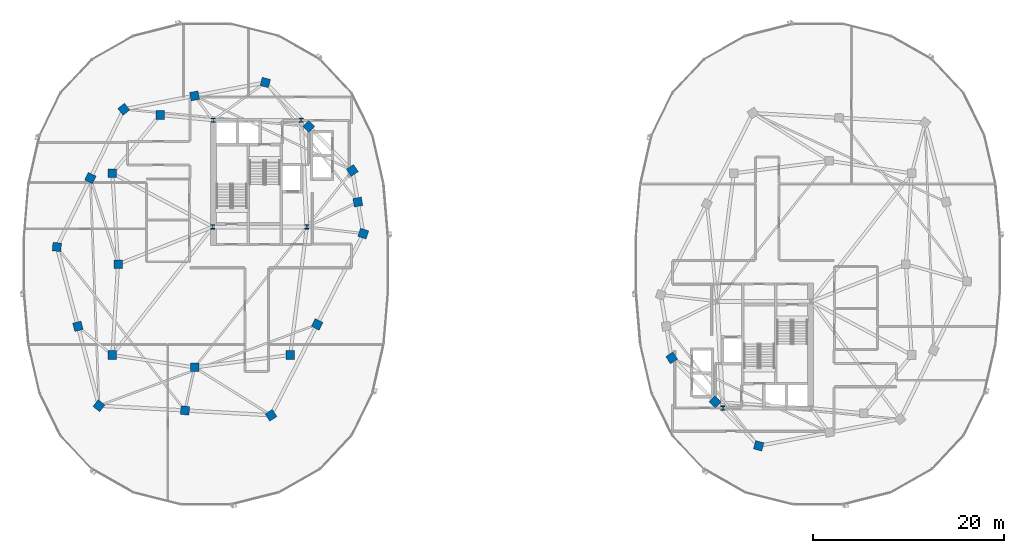
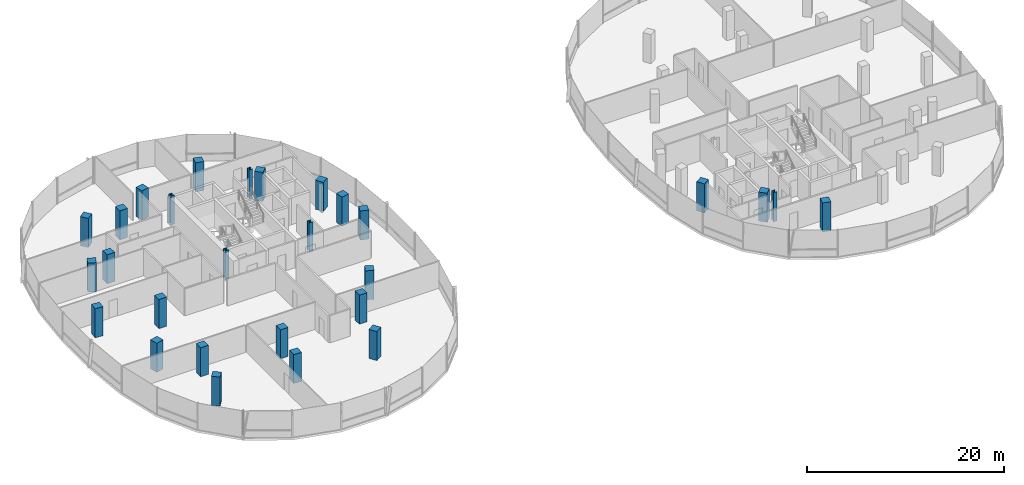
# One storey, part 1 of 25: 28 columns.
"""IFC4 building model written with IfcOpenShell, lengths in metres."""

import ifcopenshell
import ifcopenshell.guid

model = None  # the IFC model being written
_history = None  # IfcOwnerHistory: only IFC2X3 demands one
_inside = {}  # id of a spatial element -> (the spatial element, [elements in it])
_under = {}  # id of a project, library or spatial element -> (it, [spatial elements below it])
_declared = {}  # id of a project -> (the project, [libraries it declares])
_typed = {}  # id of a type object -> (the type object, [elements of that type])
_made_of = {}  # id of a material, layer set ... -> (it, [elements and type objects made of it])


def new_model(schema):
    """Start an empty IFC model of exactly this schema.

    Asked for "IFC4X3", IfcOpenShell would pick the latest addendum, in which some entities
    have other attributes; the version numbers below select the first issue.
    IFC2X3 requires an IfcOwnerHistory on every rooted entity: one is made here for all.
    """
    global model, _history
    if schema == "IFC4X3":
        model = ifcopenshell.file(schema_version=(4, 3, 0, 0))
    else:
        model = ifcopenshell.file(schema=schema)
    _inside.clear()
    _under.clear()
    _declared.clear()
    _typed.clear()
    _made_of.clear()
    _history = None
    if model.schema == "IFC2X3":
        org = make("IfcOrganization", Name="unknown")
        user = make(
            "IfcPersonAndOrganization",
            ThePerson=make("IfcPerson", FamilyName="unknown"),
            TheOrganization=org,
        )
        app = make(
            "IfcApplication",
            ApplicationDeveloper=org,
            Version="unknown",
            ApplicationFullName="unknown",
            ApplicationIdentifier="unknown",
        )
        _history = make(
            "IfcOwnerHistory",
            OwningUser=user,
            OwningApplication=app,
            ChangeAction="ADDED",
            CreationDate=0,
        )
    return model


def make(cls, **values):
    """One entity of the class cls with the attributes given. An attribute that is None is left unset."""
    return model.create_entity(
        cls, **{name: value for name, value in values.items() if value is not None}
    )


def rooted(cls, **values):
    """An entity with a GlobalId (a new one), such as an element, a storey or a relation."""
    return make(cls, GlobalId=ifcopenshell.guid.new(), OwnerHistory=_history, **values)


def si_unit(unit_type, name, prefix=None):
    """IfcSIUnit, for example si_unit("LENGTHUNIT", "METRE", prefix="MILLI")."""
    return make("IfcSIUnit", UnitType=unit_type, Prefix=prefix, Name=name)


def assignment(units):
    """IfcUnitAssignment: the units of a project."""
    return None if units is None else make("IfcUnitAssignment", Units=units)


def point(xyz):
    """IfcCartesianPoint."""
    return None if xyz is None else make("IfcCartesianPoint", Coordinates=xyz)


def direction(xyz):
    """IfcDirection."""
    return None if xyz is None else make("IfcDirection", DirectionRatios=xyz)


def frame(location, z_axis=None, x_axis=None):
    """IfcAxis2Placement3D, a coordinate frame: its origin and axes. An axis left out is left unset."""
    return make(
        "IfcAxis2Placement3D",
        Location=point(location),
        Axis=direction(z_axis),
        RefDirection=direction(x_axis),
    )


def frame_2d(location, x_axis=None):
    """IfcAxis2Placement2D, a coordinate frame in the plane: its origin and x axis."""
    return make(
        "IfcAxis2Placement2D", Location=point(location), RefDirection=direction(x_axis)
    )


def origin():
    """The frame at (0, 0, 0) with its axes left unset."""
    return frame((0.0, 0.0, 0.0))


def origin_2d():
    """The frame at (0, 0) in the plane with its x axis left unset."""
    return frame_2d((0.0, 0.0))


def place(relative_to, where):
    """IfcLocalPlacement: puts the frame where relative to a parent placement (None: the world)."""
    return make(
        "IfcLocalPlacement", PlacementRelTo=relative_to, RelativePlacement=where
    )


def context(
    kind, dimensions, precision=None, world=None, true_north=None, identifier=None
):
    """IfcGeometricRepresentationContext, for example the 3D "Model" context."""
    return make(
        "IfcGeometricRepresentationContext",
        ContextIdentifier=identifier,
        ContextType=kind,
        CoordinateSpaceDimension=dimensions,
        Precision=precision,
        WorldCoordinateSystem=world,
        TrueNorth=true_north,
    )


def subcontext(parent, identifier, kind, view, scale=None):
    """IfcGeometricRepresentationSubContext, for example "Body" below "Model"."""
    return make(
        "IfcGeometricRepresentationSubContext",
        ContextIdentifier=identifier,
        ContextType=kind,
        ParentContext=parent,
        TargetScale=scale,
        TargetView=view,
    )


def project(units=None, contexts=None):
    """IfcProject with its units and contexts."""
    return rooted(
        "IfcProject",
        Name="project",
        RepresentationContexts=contexts,
        UnitsInContext=assignment(units),
    )


def spatial(cls, under=None, at=None, **own):
    """A site, building, storey or space (cls), placed at a placement, below another one or the project."""
    s = rooted(cls, ObjectPlacement=at, **own)
    if under is not None:
        _under.setdefault(under.id(), (under, []))[1].append(s)
    return s


def profile(cls, at=None, kind="AREA", **sizes):
    """A parametric profile (cls). Its sizes go by their IFC names, for example OverallWidth=200.0."""
    return make(cls, ProfileType=kind, Position=at, **sizes)


def rectangle(**sizes):
    """IfcRectangleProfileDef."""
    return profile("IfcRectangleProfileDef", **sizes)


def i_section(**sizes):
    """IfcIShapeProfileDef."""
    return profile("IfcIShapeProfileDef", **sizes)


def extrude(swept, where, along, depth):
    """IfcExtrudedAreaSolid: the profile swept, set in the frame where, extruded along a direction by depth."""
    return make(
        "IfcExtrudedAreaSolid",
        SweptArea=swept,
        Position=where,
        ExtrudedDirection=direction(along),
        Depth=depth,
    )


def shape(context_of_items, identifier, shape_type, items):
    """IfcShapeRepresentation: the items that make up one representation, for example the "Body"."""
    return make(
        "IfcShapeRepresentation",
        ContextOfItems=context_of_items,
        RepresentationIdentifier=identifier,
        RepresentationType=shape_type,
        Items=items,
    )


def material(Name=None, Category=None):
    """IfcMaterial."""
    return make("IfcMaterial", Name=Name, Category=Category)


def material_profile(
    of_material, cross_section, Name=None, Category=None, Priority=None
):
    """IfcMaterialProfile: a cross section and its material."""
    return make(
        "IfcMaterialProfile",
        Name=Name,
        Material=of_material,
        Profile=cross_section,
        Priority=Priority,
        Category=Category,
    )


def profile_set(profiles, Name=None, composite=None):
    """IfcMaterialProfileSet."""
    return make(
        "IfcMaterialProfileSet",
        Name=Name,
        MaterialProfiles=profiles,
        CompositeProfile=composite,
    )


def made_of(thing, what):
    """Note that an element or type object is made of a material, layer set ...; save() writes the relation."""
    if what is not None:
        _made_of.setdefault(what.id(), (what, []))[1].append(thing)
    return thing


def type_object(cls, material=None, **own):
    """A type object (cls), such as IfcWallType, which elements share."""
    return made_of(rooted(cls, **own), material)


def element(
    cls,
    number,
    at=None,
    inside=None,
    cuts=None,
    type_object=None,
    material=None,
    context=None,
    identifier="Body",
    shape_type=None,
    held_by="IfcProductDefinitionShape",
    body=None,
    shapes=None,
    **own,
):
    """One element of the class cls, such as IfcWall. Its Tag is "e" and its number.

    at: its placement. inside: the storey or other place that contains it. cuts: it is an
    opening in that element (IfcRelVoidsElement). A single representation is given by context,
    identifier, shape_type and body (its items); several are given by shapes. held_by: the class
    of the entity that holds the representations. save() writes the other relations.
    """
    e = rooted(cls, Tag="e%d" % number, ObjectPlacement=at, **own)
    if body is not None:
        shapes = [shape(context, identifier, shape_type, body)]
    if shapes is not None:
        e.Representation = make(held_by, Representations=shapes)
    if inside is not None:
        _inside.setdefault(inside.id(), (inside, []))[1].append(e)
    if cuts is not None:
        rooted(
            "IfcRelVoidsElement", RelatingBuildingElement=cuts, RelatedOpeningElement=e
        )
    if type_object is not None:
        _typed.setdefault(type_object.id(), (type_object, []))[1].append(e)
    return made_of(e, material)


def aggregate(whole, parts):
    """IfcRelAggregates: a whole, such as a stair, and the parts it consists of."""
    return rooted("IfcRelAggregates", RelatingObject=whole, RelatedObjects=parts)


def save(model, path):
    """Write the relations noted so far, then the file.

    IfcRelAggregates (storeys below a building ...), IfcRelContainedInSpatialStructure (elements
    in a storey), IfcRelDefinesByType, IfcRelAssociatesMaterial and IfcRelDeclares: one each for
    every whole, place, type object, material and project.
    """
    for whole, parts in _under.values():
        aggregate(whole, parts)
    for where, things in _inside.values():
        rooted(
            "IfcRelContainedInSpatialStructure",
            RelatedElements=things,
            RelatingStructure=where,
        )
    for kind, things in _typed.values():
        rooted("IfcRelDefinesByType", RelatedObjects=things, RelatingType=kind)
    for what, things in _made_of.values():
        rooted("IfcRelAssociatesMaterial", RelatedObjects=things, RelatingMaterial=what)
    for by, libraries in _declared.values():
        rooted("IfcRelDeclares", RelatingContext=by, RelatedDefinitions=libraries)
    model.write(path)


model = new_model("IFC4")

# Units and contexts
model_context = context("Model", 3, precision=1e-05, world=origin(), true_north=direction((0.0, 1.0)))
body_context = subcontext(model_context, "Body", "Model", "MODEL_VIEW")
ifc_project = project(units=[si_unit("LENGTHUNIT", "METRE"), si_unit("AREAUNIT", "SQUARE_METRE"), si_unit("VOLUMEUNIT", "CUBIC_METRE"), si_unit("PLANEANGLEUNIT", "RADIAN"), si_unit("MASSUNIT", "GRAM", prefix="KILO"), si_unit("THERMODYNAMICTEMPERATUREUNIT", "KELVIN"), si_unit("POWERUNIT", "WATT")], contexts=[model_context])

# Site, building, storey
site_placement = place(None, origin())
site = spatial("IfcSite", under=ifc_project, at=site_placement, CompositionType="ELEMENT")
building_placement = place(site_placement, origin())
building = spatial("IfcBuilding", under=site, at=building_placement, Name="Cundina Bronze Exchange", CompositionType="ELEMENT")
storey_placement = place(building_placement, frame((0.0, 0.0, 202.60009765625)))
storey = spatial("IfcBuildingStorey", under=building, at=storey_placement, Name="L53", CompositionType="ELEMENT", Elevation=202.60009765625)

# Columns
ifc_material_1 = material(Name="Steel ASTM A992 Grade 50", Category="steel")
ifc_material_profile_1 = material_profile(ifc_material_1, i_section(OverallWidth=0.416015625, OverallDepth=0.446044921875, WebThickness=0.0390625, FlangeThickness=0.062744140625, FilletRadius=0.01806640625, at=origin_2d()), Name="W14X342", Category="steel")
ifc_profile_set_1 = profile_set([ifc_material_profile_1], Name="Steel ASTM A992 Grade 50")
column_type_1 = type_object("IfcColumnType", Name="COL-STL-W14B", PredefinedType="COLUMN", material=ifc_profile_set_1)
for number, where, z_axis, x_axis, name in (
    (1, (-31.300048828125, 3.89990234375, 0.0), (0.0, 0.0, 1.0), (1.0, 0.0, 0.0), "L53 Core Anchor Column W1"),
    (2, (-21.449951171875, 3.89990234375, 0.0), (0.0, 0.0, 1.0), (1.0, 0.0, 0.0), "L53 Core Anchor Column W2"),
    (3, (-22.050048828125, 15.050048828125, 0.0), (0.0, 0.0, 1.0), (1.0, 0.0, 0.0), "L53 Core Anchor Column W3"),
    (4, (-31.25, 15.050048828125, 0.0), (0.0, 0.0, 1.0), (1.0, 0.0, 0.0), "L53 Core Anchor Column W4"),
    (5, (22.050048828125, -15.050048828125, 0.0), (0.0, 0.0, 1.0), (1.0, 0.0, 0.0), "L53 Core Anchor Column E3"),
):
    element("IfcColumn", number, at=place(storey_placement, frame(where, z_axis=z_axis, x_axis=x_axis)), inside=storey, type_object=column_type_1, Name=name, PredefinedType="COLUMN", context=body_context, shape_type="SweptSolid", body=[
        extrude(i_section(OverallWidth=0.416015625, OverallDepth=0.446044921875, WebThickness=0.0390625, FlangeThickness=0.062744140625, FilletRadius=0.01806640625, at=origin_2d()), origin(), (0.0, 0.0, 1.0), 3.599853515625),
    ])
ifc_material_2 = material(Name="Concrete C50/60", Category="concrete")
ifc_material_profile_2 = material_profile(ifc_material_2, rectangle(XDim=0.89990234375, YDim=0.89990234375, at=origin_2d()), Name="RC900X900", Category="concrete")
ifc_profile_set_2 = profile_set([ifc_material_profile_2], Name="Concrete C50/60")
column_type_2 = type_object("IfcColumnType", Name="COL-Z4-900", PredefinedType="COLUMN", material=ifc_profile_set_2)
for number, where, z_axis, x_axis, name in (
    (6, (-41.199951171875, 0.0, 0.0), (0.0, 0.0, 1.0), (1.0, 0.0, 0.0), "L53 W Inner Ring Column 1"),
    (7, (-41.800048828125, 9.5, 0.0), (0.0, 0.0, 1.0), (1.0, 0.0, 0.0), "L53 W Inner Ring Column 2"),
    (8, (-36.800048828125, 15.60009765625, 0.0), (0.0, 0.0, 1.0), (1.0, 0.0, 0.0), "L53 W Inner Ring Column 3"),
    (9, (-41.800048828125, -9.5, 0.0), (0.0, 0.0, 1.0), (1.0, 0.0, 0.0), "L53 W Inner Ring Column 4"),
    (10, (-33.199951171875, -10.800048828125, 0.0), (0.0, 0.0, 1.0), (1.0, 0.0, 0.0), "L53 W Inner Ring Column 5"),
    (11, (-23.199951171875, -9.5, 0.0), (0.0, 0.0, 1.0), (1.0, 0.0, 0.0), "L53 W Inner Ring Column 6"),
    (12, (-15.550048828125, 3.199951171875, 0.0), (0.0, 0.0, 1.0), (0.315152163383, 0.949041155016, 0.0), "L53 W Perimeter Column 00"),
    (13, (-16.125, 6.5, 0.0), (0.0, 0.0, 1.0), (-0.171585221787, 0.985169280715, 0.0), "L53 W Perimeter Column 01"),
    (14, (-16.699951171875, 9.800048828125, 0.0), (0.0, 0.0, 1.0), (-0.544199833495, 0.838955625301, 0.0), "L53 W Perimeter Column 02"),
    (15, (-21.25, 14.39990234375, 0.0), (0.0, 0.0, 1.0), (-0.703270634186, 0.710922228581, 0.0), "L53 W Perimeter Column 03"),
    (16, (-25.800048828125, 19.0, 0.0), (0.0, 0.0, 1.0), (-0.965970984022, 0.258650455301, 0.0), "L53 W Perimeter Column 04"),
    (17, (-33.199951171875, 17.60009765625, 0.0), (0.0, 0.0, 1.0), (-0.98258037664, -0.185838110843, 0.0), "L53 W Perimeter Column 05"),
    (18, (-40.60009765625, 16.199951171875, 0.0), (0.0, 0.0, 1.0), (-0.785100778485, -0.619368038909, 0.0), "L53 W Perimeter Column 06"),
    (19, (-44.10009765625, 9.0, 0.0), (0.0, 0.0, 1.0), (-0.437115766651, -0.899405251566, 0.0), "L53 W Perimeter Column 07"),
    (20, (-47.60009765625, 1.800048828125, 0.0), (0.0, 0.0, 1.0), (-0.083503921245, -0.996507448611, 0.0), "L53 W Perimeter Column 08"),
    (21, (-45.39990234375, -6.5, 0.0), (0.0, 0.0, 1.0), (0.256289373133, -0.966600102017, 0.0), "L53 W Perimeter Column 09"),
    (22, (-43.199951171875, -14.800048828125, 0.0), (0.0, 0.0, 1.0), (0.786288432137, -0.61785961309, 0.0), "L53 W Perimeter Column 10"),
    (23, (-34.199951171875, -15.300048828125, 0.0), (0.0, 0.0, 1.0), (0.998460188734, -0.055472980025, 0.0), "L53 W Perimeter Column 11"),
    (24, (-25.199951171875, -15.800048828125, 0.0), (0.0, 0.0, 1.0), (0.838099763533, 0.545516989988, 0.0), "L53 W Perimeter Column 12"),
    (25, (-20.375, -6.300048828125, 0.0), (0.0, 0.0, 1.0), (0.452901591366, 0.891560513111, 0.0), "L53 W Perimeter Column 13"),
    (26, (16.699951171875, -9.800048828125, 0.0), (0.0, 0.0, 1.0), (0.544199833495, -0.838955625301, 0.0), "L53 E Perimeter Column 02"),
    (27, (21.25, -14.39990234375, 0.0), (0.0, 0.0, 1.0), (0.703270634186, -0.710922228581, 0.0), "L53 E Perimeter Column 03"),
    (28, (25.800048828125, -19.0, 0.0), (0.0, 0.0, 1.0), (0.965970984022, -0.258650455301, 0.0), "L53 E Perimeter Column 04"),
):
    element("IfcColumn", number, at=place(storey_placement, frame(where, z_axis=z_axis, x_axis=x_axis)), inside=storey, type_object=column_type_2, Name=name, PredefinedType="COLUMN", context=body_context, shape_type="SweptSolid", body=[
        extrude(rectangle(XDim=0.89990234375, YDim=0.89990234375, at=origin_2d()), origin(), (0.0, 0.0, 1.0), 3.599853515625),
    ])

save(model, "model.ifc")
